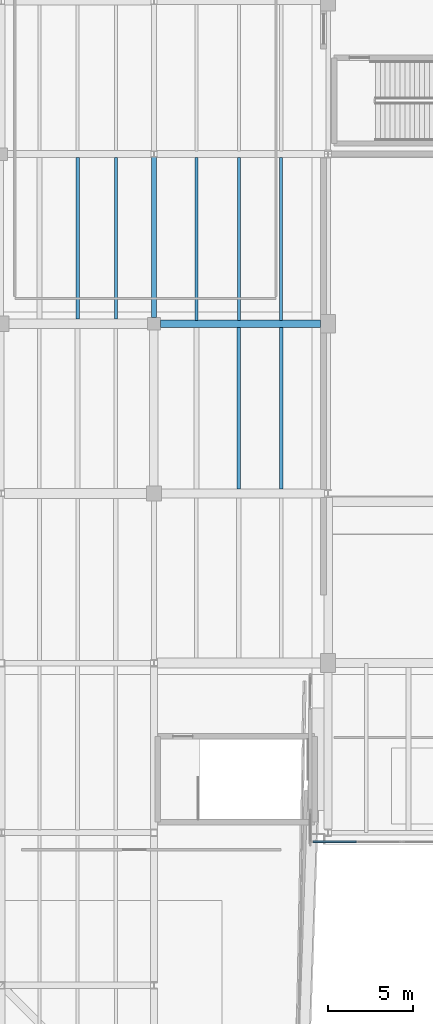
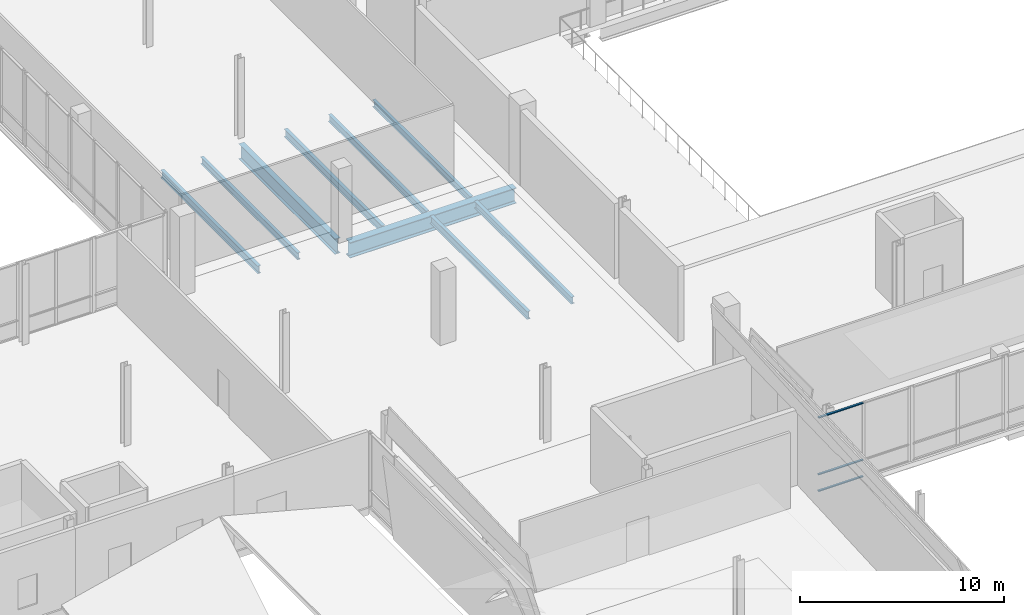
# One storey, part 16 of 41: 9 beams, 3 members, 1 element without a shape of its own.
"""IFC4 building model written with IfcOpenShell, lengths in metres."""

from ifc_helpers import new_model, si_unit, direction, frame, origin, origin_2d, place, context, subcontext, project, spatial, rectangle, i_section, extrude, material, material_profile, profile_set, type_object, element, aggregate, save


model = new_model("IFC4")

# Units and contexts
model_context = context("Model", 3, precision=1e-05, world=origin(), true_north=direction((0.0, 1.0)))
body_context = subcontext(model_context, "Body", "Model", "MODEL_VIEW")
ifc_project = project(units=[si_unit("LENGTHUNIT", "METRE"), si_unit("AREAUNIT", "SQUARE_METRE"), si_unit("VOLUMEUNIT", "CUBIC_METRE"), si_unit("PLANEANGLEUNIT", "RADIAN"), si_unit("MASSUNIT", "GRAM", prefix="KILO")], contexts=[model_context])

# Site, building, storey
site_placement = place(None, origin())
site = spatial("IfcSite", under=ifc_project, at=site_placement, CompositionType="ELEMENT")
building_placement = place(site_placement, origin())
building = spatial("IfcBuilding", under=site, at=building_placement, Name="Trimount Lyric Opera House", CompositionType="ELEMENT")
storey_placement = place(building_placement, frame((0.0, 0.0, 20.0)))
storey = spatial("IfcBuildingStorey", under=building, at=storey_placement, Name="L04", CompositionType="ELEMENT", Elevation=20.0)

# Beams
ifc_material_1 = material(Name="Steel ASTM A992 Grade 50", Category="steel")
ifc_material_profile_1 = material_profile(ifc_material_1, i_section(OverallWidth=0.4189453125, OverallDepth=0.927001953125, WebThickness=0.019287109375, FlangeThickness=0.031982421875, FilletRadius=0.02392578125, at=origin_2d()), Name="W36X231")
ifc_profile_set_1 = profile_set([ifc_material_profile_1], Name="Steel ASTM A992 Grade 50")
beam_type_1 = type_object("IfcBeamType", Name="B-02", PredefinedType="BEAM", material=ifc_profile_set_1)
beam_1_placement = place(storey_placement, frame((54.375, 74.0, -0.78857421875), z_axis=(1.0, 0.0, 0.0), x_axis=(0.0, 1.0, 0.0)))
element("IfcBeam", 1, at=beam_1_placement, inside=storey, type_object=beam_type_1, Name="L04 girder X-1163", PredefinedType="BEAM", context=body_context, shape_type="SweptSolid", body=[
    extrude(i_section(OverallWidth=0.4189453125, OverallDepth=0.927001953125, WebThickness=0.019287109375, FlangeThickness=0.031982421875, FilletRadius=0.02392578125, at=origin_2d()), origin(), (0.0, 0.0, 1.0), 9.43505859375),
])
ifc_material_2 = material(Name="Steel ASTM A992 Grade 50", Category="steel")
ifc_material_profile_2 = material_profile(ifc_material_2, i_section(OverallWidth=0.304931640625, OverallDepth=0.9189453125, WebThickness=0.017333984375, FlangeThickness=0.02783203125, FilletRadius=0.02001953125, at=origin_2d()), Name="W36X170")
ifc_profile_set_2 = profile_set([ifc_material_profile_2], Name="Steel ASTM A992 Grade 50")
beam_type_2 = type_object("IfcBeamType", Name="B-03", PredefinedType="BEAM", material=ifc_profile_set_2)
beam_2_placement = place(storey_placement, frame((54.0, 74.375, -0.739501953125), z_axis=(0.0, 1.0, 0.0), x_axis=(-1.0, 0.0, 0.0)))
element("IfcBeam", 2, at=beam_2_placement, inside=storey, type_object=beam_type_2, Name="L04 girder Y-1211", PredefinedType="BEAM", context=body_context, shape_type="SweptSolid", body=[
    extrude(i_section(OverallWidth=0.304931640625, OverallDepth=0.9189453125, WebThickness=0.017333984375, FlangeThickness=0.02783203125, FilletRadius=0.02001953125, at=origin_2d()), origin(), (0.0, 0.0, 1.0), 9.447021484375),
])
ifc_material_3 = material(Name="Steel ASTM A992 Grade 50", Category="steel")
ifc_material_profile_3 = material_profile(ifc_material_3, i_section(OverallWidth=0.19091796875, OverallDepth=0.45703125, WebThickness=0.009033203125, FlangeThickness=0.014404296875, FilletRadius=0.010986328125, at=origin_2d()), Name="W18X50")
ifc_profile_set_3 = profile_set([ifc_material_profile_3], Name="Steel ASTM A992 Grade 50")
beam_type_3 = type_object("IfcBeamType", Name="J-04", PredefinedType="BEAM", material=ifc_profile_set_3)
for number, where, z_axis, x_axis, name in (
    (3, (49.5, 74.27099609375, -0.508544921875), (0.0, 1.0, 0.0), (-1.0, 0.0, 0.0), "L04 composite floor joist 1169"),
    (4, (59.0, 64.27099609375, -0.508544921875), (0.0, 1.0, 0.0), (-1.0, 0.0, 0.0), "L04 composite floor joist 1187"),
):
    element("IfcBeam", number, at=place(storey_placement, frame(where, z_axis=z_axis, x_axis=x_axis)), inside=storey, type_object=beam_type_3, Name=name, PredefinedType="BEAM", context=body_context, shape_type="SweptSolid", body=[
        extrude(i_section(OverallWidth=0.19091796875, OverallDepth=0.45703125, WebThickness=0.009033203125, FlangeThickness=0.014404296875, FilletRadius=0.010986328125, at=origin_2d()), origin(), (0.0, 0.0, 1.0), 9.5234375),
    ])
beam_3_placement = place(storey_placement, frame((56.5, 74.20556640625, -0.508544921875), z_axis=(0.0, 1.0, 0.0), x_axis=(-1.0, 0.0, 0.0)))
element("IfcBeam", 5, at=beam_3_placement, inside=storey, type_object=beam_type_3, Name="L04 composite floor joist 1189", PredefinedType="BEAM", context=body_context, shape_type="SweptSolid", body=[
    extrude(i_section(OverallWidth=0.19091796875, OverallDepth=0.45703125, WebThickness=0.009033203125, FlangeThickness=0.014404296875, FilletRadius=0.010986328125, at=origin_2d()), origin(), (0.0, 0.0, 1.0), 9.597900390625),
])
ifc_material_4 = material(Name="Steel ASTM A992 Grade 50", Category="steel")
ifc_material_profile_4 = material_profile(ifc_material_4, i_section(OverallWidth=0.180908203125, OverallDepth=0.4169921875, WebThickness=0.010986328125, FlangeThickness=0.018310546875, FilletRadius=0.010986328125, at=origin_2d()), Name="W16X57")
ifc_profile_set_4 = profile_set([ifc_material_profile_4], Name="Steel ASTM A992 Grade 50")
beam_type_4 = type_object("IfcBeamType", Name="J-05", PredefinedType="BEAM", material=ifc_profile_set_4)
for number, where, z_axis, x_axis, name in (
    (6, (51.75, 74.27099609375, -0.488525390625), (0.0, 1.0, 0.0), (-1.0, 0.0, 0.0), "L04 composite floor joist 1170"),
    (7, (61.5, 64.27099609375, -0.488525390625), (0.0, 1.0, 0.0), (-1.0, 0.0, 0.0), "L04 composite floor joist 1188"),
):
    element("IfcBeam", number, at=place(storey_placement, frame(where, z_axis=z_axis, x_axis=x_axis)), inside=storey, type_object=beam_type_4, Name=name, PredefinedType="BEAM", context=body_context, shape_type="SweptSolid", body=[
        extrude(i_section(OverallWidth=0.180908203125, OverallDepth=0.4169921875, WebThickness=0.010986328125, FlangeThickness=0.018310546875, FilletRadius=0.010986328125, at=origin_2d()), origin(), (0.0, 0.0, 1.0), 9.5234375),
    ])
beam_4_placement = place(storey_placement, frame((59.0, 74.20556640625, -0.488525390625), z_axis=(0.0, 1.0, 0.0), x_axis=(-1.0, 0.0, 0.0)))
element("IfcBeam", 8, at=beam_4_placement, inside=storey, type_object=beam_type_4, Name="L04 composite floor joist 1190", PredefinedType="BEAM", context=body_context, shape_type="SweptSolid", body=[
    extrude(i_section(OverallWidth=0.180908203125, OverallDepth=0.4169921875, WebThickness=0.010986328125, FlangeThickness=0.018310546875, FilletRadius=0.010986328125, at=origin_2d()), origin(), (0.0, 0.0, 1.0), 9.597900390625),
])
ifc_material_5 = material(Name="Steel ASTM A992 Grade 50", Category="steel")
ifc_material_profile_5 = material_profile(ifc_material_5, i_section(OverallWidth=0.177978515625, OverallDepth=0.404052734375, WebThickness=0.007568359375, FlangeThickness=0.010986328125, FilletRadius=0.010009765625, at=origin_2d()), Name="W16X36")
ifc_profile_set_5 = profile_set([ifc_material_profile_5], Name="Steel ASTM A992 Grade 50")
beam_type_5 = type_object("IfcBeamType", Name="J-06", PredefinedType="BEAM", material=ifc_profile_set_5)
beam_5_placement = place(storey_placement, frame((61.5, 74.20556640625, -0.48193359375), z_axis=(0.0, 1.0, 0.0), x_axis=(-1.0, 0.0, 0.0)))
element("IfcBeam", 9, at=beam_5_placement, inside=storey, type_object=beam_type_5, Name="L04 composite floor joist 1191", PredefinedType="BEAM", context=body_context, shape_type="SweptSolid", body=[
    extrude(i_section(OverallWidth=0.177978515625, OverallDepth=0.404052734375, WebThickness=0.007568359375, FlangeThickness=0.010986328125, FilletRadius=0.010009765625, at=origin_2d()), origin(), (0.0, 0.0, 1.0), 9.597900390625),
])

# Curtain wall, members
ifc_material_6 = material(Name="Thermally Broken Aluminium and Low-E Glass", Category="aluminium")
curtain_wall_type = type_object("IfcCurtainWallType", Name="CW-05", PredefinedType="NOTDEFINED", material=ifc_material_6)
curtain_wall_placement = place(storey_placement, origin())
curtain_wall = element("IfcCurtainWall", 10, at=curtain_wall_placement, inside=storey, type_object=curtain_wall_type, Name="L04 curtain wall 332", PredefinedType="NOTDEFINED")
ifc_material_7 = material(Name="Anodised Aluminium 6063-T6", Category="aluminium")
ifc_material_profile_6 = material_profile(ifc_material_7, rectangle(XDim=0.114990234375, YDim=0.06005859375, at=origin_2d()), Name="ALU-TRAN-60X115")
ifc_profile_set_6 = profile_set([ifc_material_profile_6], Name="Anodised Aluminium 6063-T6")
member_type = type_object("IfcMemberType", Name="TR-03", PredefinedType="USERDEFINED", material=ifc_profile_set_6)
member_1_placement = place(storey_placement, frame((65.9150390625, 43.4599609375, 0.0576171875), z_axis=(-1.0, 0.0, 0.0), x_axis=(0.0, -1.0, 0.0)))
member_1 = element("IfcMember", 11, at=member_1_placement, type_object=member_type, Name="CW-05 transom 2.1", ObjectType="TRANSOM", PredefinedType="USERDEFINED", context=body_context, shape_type="SweptSolid", body=[
    extrude(rectangle(XDim=0.114990234375, YDim=0.06005859375, at=origin_2d()), origin(), (0.0, 0.0, 1.0), 2.53515625),
])
member_2_placement = place(storey_placement, frame((65.9150390625, 43.4599609375, 1.050048828125), z_axis=(-1.0, 0.0, 0.0), x_axis=(0.0, -1.0, 0.0)))
member_2 = element("IfcMember", 12, at=member_2_placement, type_object=member_type, Name="CW-05 transom 2.2", ObjectType="TRANSOM", PredefinedType="USERDEFINED", context=body_context, shape_type="SweptSolid", body=[
    extrude(rectangle(XDim=0.114990234375, YDim=0.06005859375, at=origin_2d()), origin(), (0.0, 0.0, 1.0), 2.53515625),
])
member_3_placement = place(storey_placement, frame((65.9150390625, 43.4599609375, 4.452392578125), z_axis=(-1.0, 0.0, 0.0), x_axis=(0.0, -1.0, 0.0)))
member_3 = element("IfcMember", 13, at=member_3_placement, type_object=member_type, Name="CW-05 transom 2.3", ObjectType="TRANSOM", PredefinedType="USERDEFINED", context=body_context, shape_type="SweptSolid", body=[
    extrude(rectangle(XDim=0.114990234375, YDim=0.06005859375, at=origin_2d()), origin(), (0.0, 0.0, 1.0), 2.53515625),
])
aggregate(curtain_wall, [member_1, member_2, member_3])

save(model, "model.ifc")
